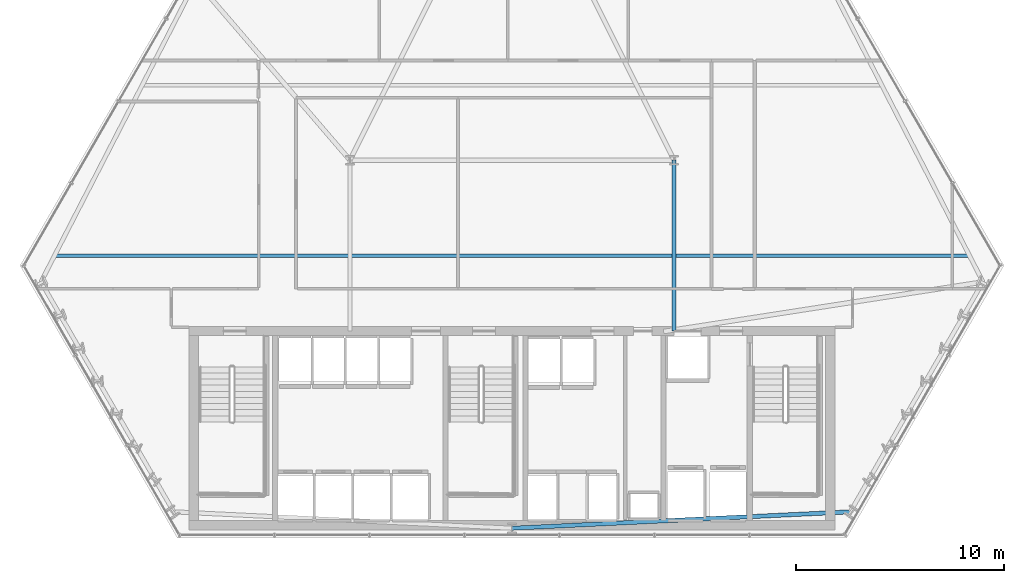
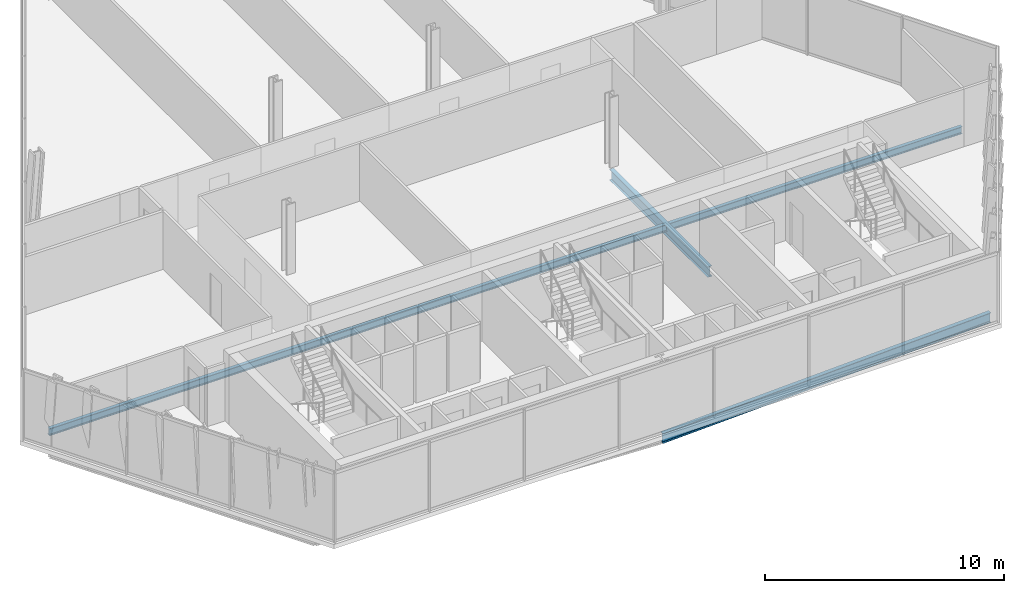
# One storey, part 10 of 32: 3 beams.
"""IFC4 building model written with IfcOpenShell, lengths in metres."""

from ifc_helpers import new_model, si_unit, direction, frame, origin, origin_2d, place, context, subcontext, project, spatial, i_section, extrude, material, material_profile, profile_set, type_object, element, save


model = new_model("IFC4")

# Units and contexts
model_context = context("Model", 3, precision=1e-05, world=origin(), true_north=direction((0.0, 1.0)))
body_context = subcontext(model_context, "Body", "Model", "MODEL_VIEW")
ifc_project = project(units=[si_unit("LENGTHUNIT", "METRE"), si_unit("AREAUNIT", "SQUARE_METRE"), si_unit("VOLUMEUNIT", "CUBIC_METRE"), si_unit("PLANEANGLEUNIT", "RADIAN"), si_unit("MASSUNIT", "GRAM", prefix="KILO")], contexts=[model_context])

# Site, building, storey
site_placement = place(None, origin())
site = spatial("IfcSite", under=ifc_project, at=site_placement, CompositionType="ELEMENT")
building_placement = place(site_placement, origin())
building = spatial("IfcBuilding", under=site, at=building_placement, Name="Ndaravel Arena Tower", CompositionType="ELEMENT")
storey_placement = place(building_placement, frame((0.0, 0.0, 77.800048828125)))
storey = spatial("IfcBuildingStorey", under=building, at=storey_placement, Name="L17", CompositionType="ELEMENT", Elevation=77.800048828125)

# Beams
ifc_material_1 = material(Name="Steel S355", Category="steel")
ifc_material_profile_1 = material_profile(ifc_material_1, i_section(OverallWidth=0.210693359375, OverallDepth=0.53955078125, WebThickness=0.01171875, FlangeThickness=0.018798828125, FilletRadius=0.0126953125, at=origin_2d()), Name="UB 533x210x109")
ifc_profile_set_1 = profile_set([ifc_material_profile_1], Name="Steel S355")
beam_type_1 = type_object("IfcBeamType", Name="BM-GIRD-UB533", PredefinedType="BEAM", material=ifc_profile_set_1)
beam_1_placement = place(storey_placement, frame((49.800048828125, 14.97998046875, -0.48974609375), z_axis=(0.0, 1.0, 0.0), x_axis=(-1.0, 0.0, 0.0)))
element("IfcBeam", 1, at=beam_1_placement, inside=storey, type_object=beam_type_1, Name="L17 Spine Link Girder SLG-02", PredefinedType="BEAM", context=body_context, shape_type="SweptSolid", body=[
    extrude(i_section(OverallWidth=0.210693359375, OverallDepth=0.53955078125, WebThickness=0.01171875, FlangeThickness=0.018798828125, FilletRadius=0.0126953125, at=origin_2d()), origin(), (0.0, 0.0, 1.0), 8.219970703125),
])
ifc_material_2 = material(Name="Steel S355", Category="steel")
ifc_material_profile_2 = material_profile(ifc_material_2, i_section(OverallWidth=0.169921875, OverallDepth=0.360107421875, WebThickness=0.008056640625, FlangeThickness=0.0126953125, FilletRadius=0.01806640625, at=origin_2d()), Name="IPE 360")
ifc_profile_set_2 = profile_set([ifc_material_profile_2], Name="Steel S355")
beam_type_2 = type_object("IfcBeamType", Name="BM-JOIST-IPE360", PredefinedType="JOIST", material=ifc_profile_set_2)
beam_2_placement = place(storey_placement, frame((19.974365234375, 18.60009765625, -0.400146484375), z_axis=(1.0, 0.0, 0.0), x_axis=(0.0, 1.0, 0.0)))
element("IfcBeam", 2, at=beam_2_placement, inside=storey, type_object=beam_type_2, Name="L17 Composite Floor Joist FJ-01", PredefinedType="JOIST", context=body_context, shape_type="SweptSolid", body=[
    extrude(i_section(OverallWidth=0.169921875, OverallDepth=0.360107421875, WebThickness=0.008056640625, FlangeThickness=0.0126953125, FilletRadius=0.01806640625, at=origin_2d()), origin(), (0.0, 0.0, 1.0), 44.05126953125),
])
ifc_material_3 = material(Name="Steel S355", Category="steel")
ifc_material_profile_3 = material_profile(ifc_material_3, i_section(OverallWidth=0.199951171875, OverallDepth=0.5, WebThickness=0.01025390625, FlangeThickness=0.01611328125, FilletRadius=0.02099609375, at=origin_2d()), Name="IPE 500")
ifc_profile_set_3 = profile_set([ifc_material_profile_3], Name="Steel S355")
beam_type_3 = type_object("IfcBeamType", Name="BM-SPAN-IPE500", PredefinedType="SPANDREL", material=ifc_profile_set_3)
beam_3_placement = place(storey_placement, frame((42.0, 5.47998046875, -0.469970703125), z_axis=(0.99882408685, 0.048481373006, 0.0), x_axis=(-0.048481373006, 0.99882408685, 0.0)))
element("IfcBeam", 3, at=beam_3_placement, inside=storey, type_object=beam_type_3, Name="L17 Perimeter Spandrel Beam SP-01", PredefinedType="SPANDREL", context=body_context, shape_type="SweptSolid", body=[
    extrude(i_section(OverallWidth=0.199951171875, OverallDepth=0.5, WebThickness=0.01025390625, FlangeThickness=0.01611328125, FilletRadius=0.02099609375, at=origin_2d()), origin(), (0.0, 0.0, 1.0), 16.305908203125),
])

save(model, "model.ifc")
